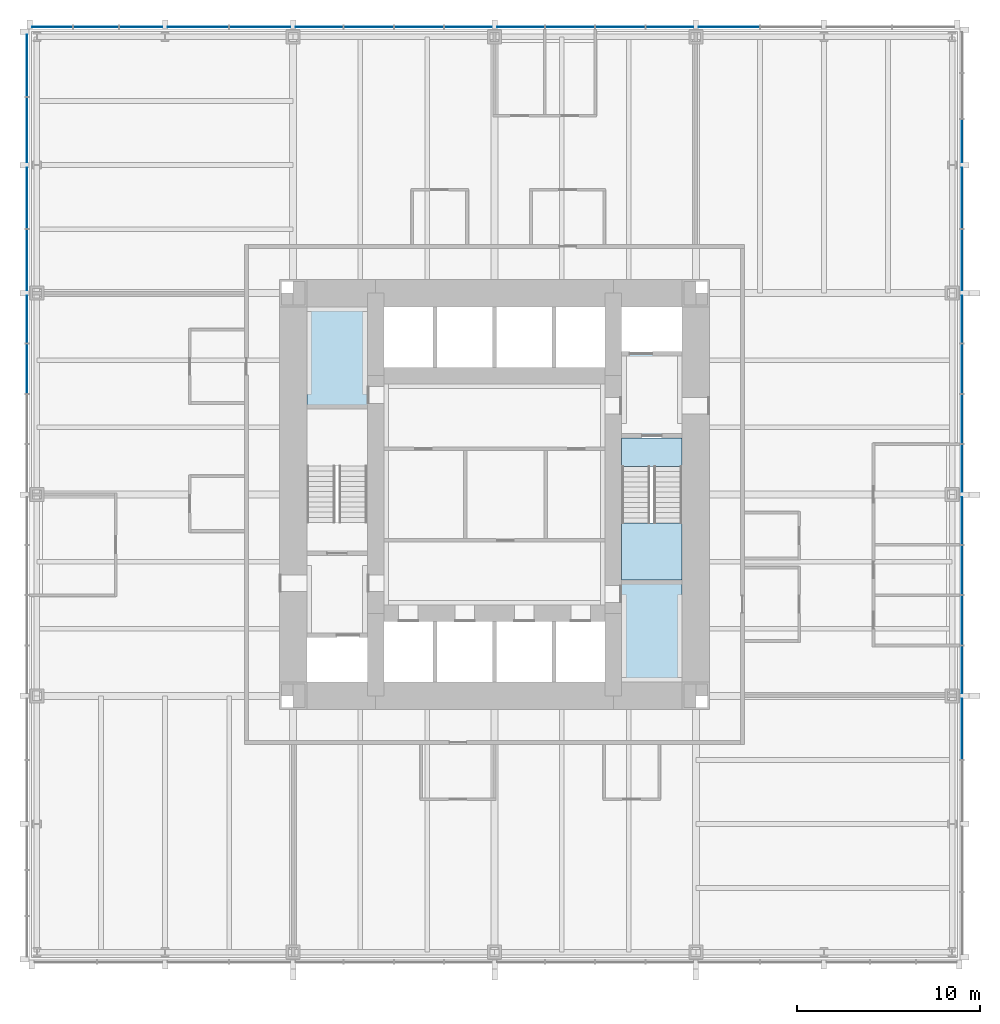
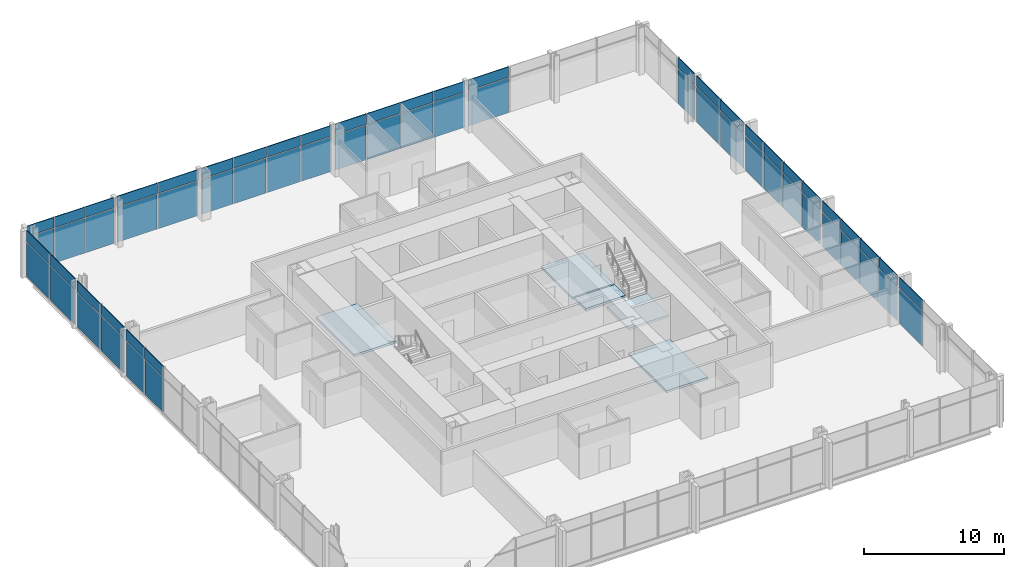
# One storey, part 8 of 12: 64 plates, 5 slabs, 4 elements without a shape of their own.
"""IFC4 building model written with IfcOpenShell, lengths in metres."""

from ifc_helpers import new_model, si_unit, direction, frame, origin, origin_2d, place, context, subcontext, project, spatial, polyline, rectangle, outline, extrude, material, layer, layer_set, type_object, element, aggregate, save


model = new_model("IFC4")

# Units and contexts
model_context = context("Model", 3, precision=1e-05, world=origin(), true_north=direction((0.0, 1.0)))
body_context = subcontext(model_context, "Body", "Model", "MODEL_VIEW")
ifc_project = project(units=[si_unit("LENGTHUNIT", "METRE"), si_unit("AREAUNIT", "SQUARE_METRE"), si_unit("VOLUMEUNIT", "CUBIC_METRE"), si_unit("PLANEANGLEUNIT", "RADIAN"), si_unit("MASSUNIT", "GRAM", prefix="KILO")], contexts=[model_context])

# Site, building, storey
site_placement = place(None, origin())
site = spatial("IfcSite", under=ifc_project, at=site_placement, CompositionType="ELEMENT")
building_placement = place(site_placement, origin())
building = spatial("IfcBuilding", under=site, at=building_placement, Name="Trevanion Tower", CompositionType="ELEMENT")
storey_placement = place(building_placement, frame((0.0, 0.0, 24.199951171875)))
storey = spatial("IfcBuildingStorey", under=building, at=storey_placement, Name="L05", CompositionType="ELEMENT", Elevation=24.199951171875)

# Curtain wall, plates
ifc_material_1 = material(Name="Aluminium and glass", Category="aluminium")
curtain_wall_type = type_object("IfcCurtainWallType", Name="CW1 curtain wall", PredefinedType="USERDEFINED", material=ifc_material_1)
curtain_wall_1_placement = place(storey_placement, origin())
curtain_wall_1 = element("IfcCurtainWall", 1, at=curtain_wall_1_placement, inside=storey, type_object=curtain_wall_type, Name="CW1 L05 0", ObjectType="UNITISED CURTAIN WALL", PredefinedType="USERDEFINED")
ifc_material_2 = material(Name="Aluminium spandrel panel", Category="aluminium")
ifc_layer_1 = layer(ifc_material_2, 0.06005859375)
ifc_layer_set_1 = layer_set([ifc_layer_1], Name="CW1 spandrel panel")
plate_type_1 = type_object("IfcPlateType", Name="CW1 spandrel panel", PredefinedType="CURTAIN_PANEL", material=ifc_layer_set_1)
plate_1_placement = place(storey_placement, frame((25.550048828125, -12.806396484375, 2.99755859375), z_axis=(0.0, 0.0, 1.0), x_axis=(0.0, 1.0, 0.0)))
plate_1 = element("IfcPlate", 2, at=plate_1_placement, type_object=plate_type_1, Name="CW1 panel 4.2", PredefinedType="CURTAIN_PANEL", context=body_context, shape_type="SweptSolid", body=[
    extrude(rectangle(XDim=3.3125, YDim=0.06005859375, at=origin_2d()), origin(), (0.0, 0.0, 1.0), 0.91259765625),
])
plate_2_placement = place(storey_placement, frame((25.550048828125, -9.56884765625, 2.99755859375), z_axis=(0.0, 0.0, 1.0), x_axis=(0.0, 1.0, 0.0)))
plate_2 = element("IfcPlate", 3, at=plate_2_placement, type_object=plate_type_1, Name="CW1 panel 5.2", PredefinedType="CURTAIN_PANEL", context=body_context, shape_type="SweptSolid", body=[
    extrude(rectangle(XDim=2.5625, YDim=0.06005859375, at=origin_2d()), origin(), (0.0, 0.0, 1.0), 0.91259765625),
])
plate_3_placement = place(storey_placement, frame((25.550048828125, -6.875, 2.99755859375), z_axis=(0.0, 0.0, 1.0), x_axis=(0.0, 1.0, 0.0)))
plate_3 = element("IfcPlate", 4, at=plate_3_placement, type_object=plate_type_1, Name="CW1 panel 6.2", PredefinedType="CURTAIN_PANEL", context=body_context, shape_type="SweptSolid", body=[
    extrude(rectangle(XDim=2.675048828125, YDim=0.06005859375, at=origin_2d()), origin(), (0.0, 0.0, 1.0), 0.91259765625),
])
plate_4_placement = place(storey_placement, frame((25.550048828125, -4.125, 2.99755859375), z_axis=(0.0, 0.0, 1.0), x_axis=(0.0, 1.0, 0.0)))
plate_4 = element("IfcPlate", 5, at=plate_4_placement, type_object=plate_type_1, Name="CW1 panel 7.2", PredefinedType="CURTAIN_PANEL", context=body_context, shape_type="SweptSolid", body=[
    extrude(rectangle(XDim=2.675048828125, YDim=0.06005859375, at=origin_2d()), origin(), (0.0, 0.0, 1.0), 0.91259765625),
])
plate_5_placement = place(storey_placement, frame((25.550048828125, -1.43115234375, 2.99755859375), z_axis=(0.0, 0.0, 1.0), x_axis=(0.0, 1.0, 0.0)))
plate_5 = element("IfcPlate", 6, at=plate_5_placement, type_object=plate_type_1, Name="CW1 panel 8.2", PredefinedType="CURTAIN_PANEL", context=body_context, shape_type="SweptSolid", body=[
    extrude(rectangle(XDim=2.5625, YDim=0.06005859375, at=origin_2d()), origin(), (0.0, 0.0, 1.0), 0.91259765625),
])
plate_6_placement = place(storey_placement, frame((25.550048828125, 1.43115234375, 2.99755859375), z_axis=(0.0, 0.0, 1.0), x_axis=(0.0, 1.0, 0.0)))
plate_6 = element("IfcPlate", 7, at=plate_6_placement, type_object=plate_type_1, Name="CW1 panel 9.2", PredefinedType="CURTAIN_PANEL", context=body_context, shape_type="SweptSolid", body=[
    extrude(rectangle(XDim=2.5625, YDim=0.06005859375, at=origin_2d()), origin(), (0.0, 0.0, 1.0), 0.91259765625),
])
plate_7_placement = place(storey_placement, frame((25.550048828125, 4.125, 2.99755859375), z_axis=(0.0, 0.0, 1.0), x_axis=(0.0, 1.0, 0.0)))
plate_7 = element("IfcPlate", 8, at=plate_7_placement, type_object=plate_type_1, Name="CW1 panel 10.2", PredefinedType="CURTAIN_PANEL", context=body_context, shape_type="SweptSolid", body=[
    extrude(rectangle(XDim=2.675048828125, YDim=0.06005859375, at=origin_2d()), origin(), (0.0, 0.0, 1.0), 0.91259765625),
])
plate_8_placement = place(storey_placement, frame((25.550048828125, 6.875, 2.99755859375), z_axis=(0.0, 0.0, 1.0), x_axis=(0.0, 1.0, 0.0)))
plate_8 = element("IfcPlate", 9, at=plate_8_placement, type_object=plate_type_1, Name="CW1 panel 11.2", PredefinedType="CURTAIN_PANEL", context=body_context, shape_type="SweptSolid", body=[
    extrude(rectangle(XDim=2.675048828125, YDim=0.06005859375, at=origin_2d()), origin(), (0.0, 0.0, 1.0), 0.91259765625),
])
plate_9_placement = place(storey_placement, frame((25.550048828125, 9.56884765625, 2.99755859375), z_axis=(0.0, 0.0, 1.0), x_axis=(0.0, 1.0, 0.0)))
plate_9 = element("IfcPlate", 10, at=plate_9_placement, type_object=plate_type_1, Name="CW1 panel 12.2", PredefinedType="CURTAIN_PANEL", context=body_context, shape_type="SweptSolid", body=[
    extrude(rectangle(XDim=2.5625, YDim=0.06005859375, at=origin_2d()), origin(), (0.0, 0.0, 1.0), 0.91259765625),
])
plate_10_placement = place(storey_placement, frame((25.550048828125, 12.80615234375, 2.99755859375), z_axis=(0.0, 0.0, 1.0), x_axis=(0.0, 1.0, 0.0)))
plate_10 = element("IfcPlate", 11, at=plate_10_placement, type_object=plate_type_1, Name="CW1 panel 13.2", PredefinedType="CURTAIN_PANEL", context=body_context, shape_type="SweptSolid", body=[
    extrude(rectangle(XDim=3.3125, YDim=0.06005859375, at=origin_2d()), origin(), (0.0, 0.0, 1.0), 0.91259765625),
])
plate_11_placement = place(storey_placement, frame((25.550048828125, 16.19384765625, 2.99755859375), z_axis=(0.0, 0.0, 1.0), x_axis=(0.0, 1.0, 0.0)))
plate_11 = element("IfcPlate", 12, at=plate_11_placement, type_object=plate_type_1, Name="CW1 panel 14.2", PredefinedType="CURTAIN_PANEL", context=body_context, shape_type="SweptSolid", body=[
    extrude(rectangle(XDim=3.3125, YDim=0.06005859375, at=origin_2d()), origin(), (0.0, 0.0, 1.0), 0.91259765625),
])
plate_12_placement = place(storey_placement, frame((25.550048828125, 19.314697265625, 2.99755859375), z_axis=(0.0, 0.0, 1.0), x_axis=(0.0, 1.0, 0.0)))
plate_12 = element("IfcPlate", 13, at=plate_12_placement, type_object=plate_type_1, Name="CW1 panel 15.2", PredefinedType="CURTAIN_PANEL", context=body_context, shape_type="SweptSolid", body=[
    extrude(rectangle(XDim=2.3291015625, YDim=0.06005859375, at=origin_2d()), origin(), (0.0, 0.0, 1.0), 0.91259765625),
])

curtain_wall_2_placement = place(storey_placement, origin())
curtain_wall_2 = element("IfcCurtainWall", 14, at=curtain_wall_2_placement, inside=storey, type_object=curtain_wall_type, Name="CW1 L05 1", ObjectType="UNITISED CURTAIN WALL", PredefinedType="USERDEFINED")
plate_13_placement = place(storey_placement, frame((12.806396484375, 25.550048828125, 2.99755859375), z_axis=(0.0, 0.0, 1.0), x_axis=(-1.0, 0.0, 0.0)))
plate_13 = element("IfcPlate", 15, at=plate_13_placement, type_object=plate_type_1, Name="CW1 panel 4.2", PredefinedType="CURTAIN_PANEL", context=body_context, shape_type="SweptSolid", body=[
    extrude(rectangle(XDim=3.3125, YDim=0.06005859375, at=origin_2d()), origin(), (0.0, 0.0, 1.0), 0.91259765625),
])
plate_14_placement = place(storey_placement, frame((9.56884765625, 25.550048828125, 2.99755859375), z_axis=(0.0, 0.0, 1.0), x_axis=(-1.0, 0.0, 0.0)))
plate_14 = element("IfcPlate", 16, at=plate_14_placement, type_object=plate_type_1, Name="CW1 panel 5.2", PredefinedType="CURTAIN_PANEL", context=body_context, shape_type="SweptSolid", body=[
    extrude(rectangle(XDim=2.5625, YDim=0.06005859375, at=origin_2d()), origin(), (0.0, 0.0, 1.0), 0.91259765625),
])
plate_15_placement = place(storey_placement, frame((6.875, 25.550048828125, 2.99755859375), z_axis=(0.0, 0.0, 1.0), x_axis=(-1.0, 0.0, 0.0)))
plate_15 = element("IfcPlate", 17, at=plate_15_placement, type_object=plate_type_1, Name="CW1 panel 6.2", PredefinedType="CURTAIN_PANEL", context=body_context, shape_type="SweptSolid", body=[
    extrude(rectangle(XDim=2.675048828125, YDim=0.06005859375, at=origin_2d()), origin(), (0.0, 0.0, 1.0), 0.91259765625),
])
plate_16_placement = place(storey_placement, frame((4.125, 25.550048828125, 2.99755859375), z_axis=(0.0, 0.0, 1.0), x_axis=(-1.0, 0.0, 0.0)))
plate_16 = element("IfcPlate", 18, at=plate_16_placement, type_object=plate_type_1, Name="CW1 panel 7.2", PredefinedType="CURTAIN_PANEL", context=body_context, shape_type="SweptSolid", body=[
    extrude(rectangle(XDim=2.675048828125, YDim=0.06005859375, at=origin_2d()), origin(), (0.0, 0.0, 1.0), 0.91259765625),
])
plate_17_placement = place(storey_placement, frame((1.43115234375, 25.550048828125, 2.99755859375), z_axis=(0.0, 0.0, 1.0), x_axis=(-1.0, 0.0, 0.0)))
plate_17 = element("IfcPlate", 19, at=plate_17_placement, type_object=plate_type_1, Name="CW1 panel 8.2", PredefinedType="CURTAIN_PANEL", context=body_context, shape_type="SweptSolid", body=[
    extrude(rectangle(XDim=2.5625, YDim=0.06005859375, at=origin_2d()), origin(), (0.0, 0.0, 1.0), 0.91259765625),
])
plate_18_placement = place(storey_placement, frame((-1.43115234375, 25.550048828125, 2.99755859375), z_axis=(0.0, 0.0, 1.0), x_axis=(-1.0, 0.0, 0.0)))
plate_18 = element("IfcPlate", 20, at=plate_18_placement, type_object=plate_type_1, Name="CW1 panel 9.2", PredefinedType="CURTAIN_PANEL", context=body_context, shape_type="SweptSolid", body=[
    extrude(rectangle(XDim=2.5625, YDim=0.06005859375, at=origin_2d()), origin(), (0.0, 0.0, 1.0), 0.91259765625),
])
plate_19_placement = place(storey_placement, frame((-4.125, 25.550048828125, 2.99755859375), z_axis=(0.0, 0.0, 1.0), x_axis=(-1.0, 0.0, 0.0)))
plate_19 = element("IfcPlate", 21, at=plate_19_placement, type_object=plate_type_1, Name="CW1 panel 10.2", PredefinedType="CURTAIN_PANEL", context=body_context, shape_type="SweptSolid", body=[
    extrude(rectangle(XDim=2.675048828125, YDim=0.06005859375, at=origin_2d()), origin(), (0.0, 0.0, 1.0), 0.91259765625),
])
plate_20_placement = place(storey_placement, frame((-6.875, 25.550048828125, 2.99755859375), z_axis=(0.0, 0.0, 1.0), x_axis=(-1.0, 0.0, 0.0)))
plate_20 = element("IfcPlate", 22, at=plate_20_placement, type_object=plate_type_1, Name="CW1 panel 11.2", PredefinedType="CURTAIN_PANEL", context=body_context, shape_type="SweptSolid", body=[
    extrude(rectangle(XDim=2.675048828125, YDim=0.06005859375, at=origin_2d()), origin(), (0.0, 0.0, 1.0), 0.91259765625),
])
plate_21_placement = place(storey_placement, frame((-9.56884765625, 25.550048828125, 2.99755859375), z_axis=(0.0, 0.0, 1.0), x_axis=(-1.0, 0.0, 0.0)))
plate_21 = element("IfcPlate", 23, at=plate_21_placement, type_object=plate_type_1, Name="CW1 panel 12.2", PredefinedType="CURTAIN_PANEL", context=body_context, shape_type="SweptSolid", body=[
    extrude(rectangle(XDim=2.5625, YDim=0.06005859375, at=origin_2d()), origin(), (0.0, 0.0, 1.0), 0.91259765625),
])
plate_22_placement = place(storey_placement, frame((-12.80615234375, 25.550048828125, 2.99755859375), z_axis=(0.0, 0.0, 1.0), x_axis=(-1.0, 0.0, 0.0)))
plate_22 = element("IfcPlate", 24, at=plate_22_placement, type_object=plate_type_1, Name="CW1 panel 13.2", PredefinedType="CURTAIN_PANEL", context=body_context, shape_type="SweptSolid", body=[
    extrude(rectangle(XDim=3.3125, YDim=0.06005859375, at=origin_2d()), origin(), (0.0, 0.0, 1.0), 0.91259765625),
])
plate_23_placement = place(storey_placement, frame((-16.19384765625, 25.550048828125, 2.99755859375), z_axis=(0.0, 0.0, 1.0), x_axis=(-1.0, 0.0, 0.0)))
plate_23 = element("IfcPlate", 25, at=plate_23_placement, type_object=plate_type_1, Name="CW1 panel 14.2", PredefinedType="CURTAIN_PANEL", context=body_context, shape_type="SweptSolid", body=[
    extrude(rectangle(XDim=3.3125, YDim=0.06005859375, at=origin_2d()), origin(), (0.0, 0.0, 1.0), 0.91259765625),
])
plate_24_placement = place(storey_placement, frame((-19.314697265625, 25.550048828125, 2.99755859375), z_axis=(0.0, 0.0, 1.0), x_axis=(-1.0, 0.0, 0.0)))
plate_24 = element("IfcPlate", 26, at=plate_24_placement, type_object=plate_type_1, Name="CW1 panel 15.2", PredefinedType="CURTAIN_PANEL", context=body_context, shape_type="SweptSolid", body=[
    extrude(rectangle(XDim=2.3291015625, YDim=0.06005859375, at=origin_2d()), origin(), (0.0, 0.0, 1.0), 0.91259765625),
])
plate_25_placement = place(storey_placement, frame((-21.77490234375, 25.550048828125, 2.99755859375), z_axis=(0.0, 0.0, 1.0), x_axis=(-1.0, 0.0, 0.0)))
plate_25 = element("IfcPlate", 27, at=plate_25_placement, type_object=plate_type_1, Name="CW1 panel 16.2", PredefinedType="CURTAIN_PANEL", context=body_context, shape_type="SweptSolid", body=[
    extrude(rectangle(XDim=2.441650390625, YDim=0.06005859375, at=origin_2d()), origin(), (0.0, 0.0, 1.0), 0.91259765625),
])
plate_26_placement = place(storey_placement, frame((-24.160400390625, 25.550048828125, 2.99755859375), z_axis=(0.0, 0.0, 1.0), x_axis=(-1.0, 0.0, 0.0)))
plate_26 = element("IfcPlate", 28, at=plate_26_placement, type_object=plate_type_1, Name="CW1 panel 17.2", PredefinedType="CURTAIN_PANEL", context=body_context, shape_type="SweptSolid", body=[
    extrude(rectangle(XDim=2.17919921875, YDim=0.06005859375, at=origin_2d()), origin(), (0.0, 0.0, 1.0), 0.91259765625),
])

curtain_wall_3_placement = place(storey_placement, origin())
curtain_wall_3 = element("IfcCurtainWall", 29, at=curtain_wall_3_placement, inside=storey, type_object=curtain_wall_type, Name="CW1 L05 2", ObjectType="UNITISED CURTAIN WALL", PredefinedType="USERDEFINED")
plate_27_placement = place(storey_placement, frame((-25.550048828125, 23.433837890625, 2.99755859375), z_axis=(0.0, 0.0, 1.0), x_axis=(0.0, -1.0, 0.0)))
plate_27 = element("IfcPlate", 30, at=plate_27_placement, type_object=plate_type_1, Name="CW1 panel 1.2", PredefinedType="CURTAIN_PANEL", context=body_context, shape_type="SweptSolid", body=[
    extrude(rectangle(XDim=3.37255859375, YDim=0.06005859375, at=origin_2d()), origin(), (0.0, 0.0, 1.0), 0.91259765625),
])
plate_28_placement = place(storey_placement, frame((-25.550048828125, 19.911376953125, 2.99755859375), z_axis=(0.0, 0.0, 1.0), x_axis=(0.0, -1.0, 0.0)))
plate_28 = element("IfcPlate", 31, at=plate_28_placement, type_object=plate_type_1, Name="CW1 panel 2.2", PredefinedType="CURTAIN_PANEL", context=body_context, shape_type="SweptSolid", body=[
    extrude(rectangle(XDim=3.5224609375, YDim=0.06005859375, at=origin_2d()), origin(), (0.0, 0.0, 1.0), 0.91259765625),
])
plate_29_placement = place(storey_placement, frame((-25.550048828125, 16.19384765625, 2.99755859375), z_axis=(0.0, 0.0, 1.0), x_axis=(0.0, -1.0, 0.0)))
plate_29 = element("IfcPlate", 32, at=plate_29_placement, type_object=plate_type_1, Name="CW1 panel 3.2", PredefinedType="CURTAIN_PANEL", context=body_context, shape_type="SweptSolid", body=[
    extrude(rectangle(XDim=3.3125, YDim=0.06005859375, at=origin_2d()), origin(), (0.0, 0.0, 1.0), 0.91259765625),
])
plate_30_placement = place(storey_placement, frame((-25.550048828125, 12.806396484375, 2.99755859375), z_axis=(0.0, 0.0, 1.0), x_axis=(0.0, -1.0, 0.0)))
plate_30 = element("IfcPlate", 33, at=plate_30_placement, type_object=plate_type_1, Name="CW1 panel 4.2", PredefinedType="CURTAIN_PANEL", context=body_context, shape_type="SweptSolid", body=[
    extrude(rectangle(XDim=3.3125, YDim=0.06005859375, at=origin_2d()), origin(), (0.0, 0.0, 1.0), 0.91259765625),
])
plate_31_placement = place(storey_placement, frame((-25.550048828125, 9.56884765625, 2.99755859375), z_axis=(0.0, 0.0, 1.0), x_axis=(0.0, -1.0, 0.0)))
plate_31 = element("IfcPlate", 34, at=plate_31_placement, type_object=plate_type_1, Name="CW1 panel 5.2", PredefinedType="CURTAIN_PANEL", context=body_context, shape_type="SweptSolid", body=[
    extrude(rectangle(XDim=2.5625, YDim=0.06005859375, at=origin_2d()), origin(), (0.0, 0.0, 1.0), 0.91259765625),
])
plate_32_placement = place(storey_placement, frame((-25.550048828125, 6.875, 2.99755859375), z_axis=(0.0, 0.0, 1.0), x_axis=(0.0, -1.0, 0.0)))
plate_32 = element("IfcPlate", 35, at=plate_32_placement, type_object=plate_type_1, Name="CW1 panel 6.2", PredefinedType="CURTAIN_PANEL", context=body_context, shape_type="SweptSolid", body=[
    extrude(rectangle(XDim=2.675048828125, YDim=0.06005859375, at=origin_2d()), origin(), (0.0, 0.0, 1.0), 0.91259765625),
])

# Plate
ifc_material_3 = material(Name="Insulating glass unit", Category="glass")
ifc_layer_2 = layer(ifc_material_3, 0.028076171875)
ifc_layer_set_2 = layer_set([ifc_layer_2], Name="CW1 vision panel")
plate_type_2 = type_object("IfcPlateType", Name="CW1 vision panel", PredefinedType="CURTAIN_PANEL", material=ifc_layer_set_2)
plate_33_placement = place(storey_placement, frame((25.550048828125, -12.806396484375, -0.114990234375), z_axis=(0.0, 0.0, 1.0), x_axis=(0.0, 1.0, 0.0)))
plate_33 = element("IfcPlate", 36, at=plate_33_placement, type_object=plate_type_2, Name="CW1 panel 4.1", PredefinedType="CURTAIN_PANEL", context=body_context, shape_type="SweptSolid", body=[
    extrude(rectangle(XDim=3.3125, YDim=0.028076171875, at=origin_2d()), origin(), (0.0, 0.0, 1.0), 3.03759765625),
])

plate_34_placement = place(storey_placement, frame((25.550048828125, -9.56884765625, -0.114990234375), z_axis=(0.0, 0.0, 1.0), x_axis=(0.0, 1.0, 0.0)))
plate_34 = element("IfcPlate", 37, at=plate_34_placement, type_object=plate_type_2, Name="CW1 panel 5.1", PredefinedType="CURTAIN_PANEL", context=body_context, shape_type="SweptSolid", body=[
    extrude(rectangle(XDim=2.5625, YDim=0.028076171875, at=origin_2d()), origin(), (0.0, 0.0, 1.0), 3.03759765625),
])

plate_35_placement = place(storey_placement, frame((25.550048828125, -6.875, -0.114990234375), z_axis=(0.0, 0.0, 1.0), x_axis=(0.0, 1.0, 0.0)))
plate_35 = element("IfcPlate", 38, at=plate_35_placement, type_object=plate_type_2, Name="CW1 panel 6.1", PredefinedType="CURTAIN_PANEL", context=body_context, shape_type="SweptSolid", body=[
    extrude(rectangle(XDim=2.675048828125, YDim=0.028076171875, at=origin_2d()), origin(), (0.0, 0.0, 1.0), 3.03759765625),
])

plate_36_placement = place(storey_placement, frame((25.550048828125, -4.125, -0.114990234375), z_axis=(0.0, 0.0, 1.0), x_axis=(0.0, 1.0, 0.0)))
plate_36 = element("IfcPlate", 39, at=plate_36_placement, type_object=plate_type_2, Name="CW1 panel 7.1", PredefinedType="CURTAIN_PANEL", context=body_context, shape_type="SweptSolid", body=[
    extrude(rectangle(XDim=2.675048828125, YDim=0.028076171875, at=origin_2d()), origin(), (0.0, 0.0, 1.0), 3.03759765625),
])

plate_37_placement = place(storey_placement, frame((25.550048828125, -1.43115234375, -0.114990234375), z_axis=(0.0, 0.0, 1.0), x_axis=(0.0, 1.0, 0.0)))
plate_37 = element("IfcPlate", 40, at=plate_37_placement, type_object=plate_type_2, Name="CW1 panel 8.1", PredefinedType="CURTAIN_PANEL", context=body_context, shape_type="SweptSolid", body=[
    extrude(rectangle(XDim=2.5625, YDim=0.028076171875, at=origin_2d()), origin(), (0.0, 0.0, 1.0), 3.03759765625),
])

plate_38_placement = place(storey_placement, frame((25.550048828125, 1.43115234375, -0.114990234375), z_axis=(0.0, 0.0, 1.0), x_axis=(0.0, 1.0, 0.0)))
plate_38 = element("IfcPlate", 41, at=plate_38_placement, type_object=plate_type_2, Name="CW1 panel 9.1", PredefinedType="CURTAIN_PANEL", context=body_context, shape_type="SweptSolid", body=[
    extrude(rectangle(XDim=2.5625, YDim=0.028076171875, at=origin_2d()), origin(), (0.0, 0.0, 1.0), 3.03759765625),
])

plate_39_placement = place(storey_placement, frame((25.550048828125, 4.125, -0.114990234375), z_axis=(0.0, 0.0, 1.0), x_axis=(0.0, 1.0, 0.0)))
plate_39 = element("IfcPlate", 42, at=plate_39_placement, type_object=plate_type_2, Name="CW1 panel 10.1", PredefinedType="CURTAIN_PANEL", context=body_context, shape_type="SweptSolid", body=[
    extrude(rectangle(XDim=2.675048828125, YDim=0.028076171875, at=origin_2d()), origin(), (0.0, 0.0, 1.0), 3.03759765625),
])

plate_40_placement = place(storey_placement, frame((25.550048828125, 6.875, -0.114990234375), z_axis=(0.0, 0.0, 1.0), x_axis=(0.0, 1.0, 0.0)))
plate_40 = element("IfcPlate", 43, at=plate_40_placement, type_object=plate_type_2, Name="CW1 panel 11.1", PredefinedType="CURTAIN_PANEL", context=body_context, shape_type="SweptSolid", body=[
    extrude(rectangle(XDim=2.675048828125, YDim=0.028076171875, at=origin_2d()), origin(), (0.0, 0.0, 1.0), 3.03759765625),
])

plate_41_placement = place(storey_placement, frame((25.550048828125, 9.56884765625, -0.114990234375), z_axis=(0.0, 0.0, 1.0), x_axis=(0.0, 1.0, 0.0)))
plate_41 = element("IfcPlate", 44, at=plate_41_placement, type_object=plate_type_2, Name="CW1 panel 12.1", PredefinedType="CURTAIN_PANEL", context=body_context, shape_type="SweptSolid", body=[
    extrude(rectangle(XDim=2.5625, YDim=0.028076171875, at=origin_2d()), origin(), (0.0, 0.0, 1.0), 3.03759765625),
])

plate_42_placement = place(storey_placement, frame((25.550048828125, 12.80615234375, -0.114990234375), z_axis=(0.0, 0.0, 1.0), x_axis=(0.0, 1.0, 0.0)))
plate_42 = element("IfcPlate", 45, at=plate_42_placement, type_object=plate_type_2, Name="CW1 panel 13.1", PredefinedType="CURTAIN_PANEL", context=body_context, shape_type="SweptSolid", body=[
    extrude(rectangle(XDim=3.3125, YDim=0.028076171875, at=origin_2d()), origin(), (0.0, 0.0, 1.0), 3.03759765625),
])

plate_43_placement = place(storey_placement, frame((25.550048828125, 16.19384765625, -0.114990234375), z_axis=(0.0, 0.0, 1.0), x_axis=(0.0, 1.0, 0.0)))
plate_43 = element("IfcPlate", 46, at=plate_43_placement, type_object=plate_type_2, Name="CW1 panel 14.1", PredefinedType="CURTAIN_PANEL", context=body_context, shape_type="SweptSolid", body=[
    extrude(rectangle(XDim=3.3125, YDim=0.028076171875, at=origin_2d()), origin(), (0.0, 0.0, 1.0), 3.03759765625),
])

plate_44_placement = place(storey_placement, frame((25.550048828125, 19.314697265625, -0.114990234375), z_axis=(0.0, 0.0, 1.0), x_axis=(0.0, 1.0, 0.0)))
plate_44 = element("IfcPlate", 47, at=plate_44_placement, type_object=plate_type_2, Name="CW1 panel 15.1", PredefinedType="CURTAIN_PANEL", context=body_context, shape_type="SweptSolid", body=[
    extrude(rectangle(XDim=2.3291015625, YDim=0.028076171875, at=origin_2d()), origin(), (0.0, 0.0, 1.0), 3.03759765625),
])

aggregate(curtain_wall_1, [plate_33, plate_1, plate_34, plate_2, plate_35, plate_3, plate_36, plate_4, plate_37, plate_5, plate_38, plate_6, plate_39, plate_7, plate_40, plate_8, plate_41, plate_9, plate_42, plate_10, plate_43, plate_11, plate_44, plate_12])

plate_45_placement = place(storey_placement, frame((12.806396484375, 25.550048828125, -0.114990234375), z_axis=(0.0, 0.0, 1.0), x_axis=(-1.0, 0.0, 0.0)))
plate_45 = element("IfcPlate", 48, at=plate_45_placement, type_object=plate_type_2, Name="CW1 panel 4.1", PredefinedType="CURTAIN_PANEL", context=body_context, shape_type="SweptSolid", body=[
    extrude(rectangle(XDim=3.3125, YDim=0.028076171875, at=origin_2d()), origin(), (0.0, 0.0, 1.0), 3.03759765625),
])

plate_46_placement = place(storey_placement, frame((9.56884765625, 25.550048828125, -0.114990234375), z_axis=(0.0, 0.0, 1.0), x_axis=(-1.0, 0.0, 0.0)))
plate_46 = element("IfcPlate", 49, at=plate_46_placement, type_object=plate_type_2, Name="CW1 panel 5.1", PredefinedType="CURTAIN_PANEL", context=body_context, shape_type="SweptSolid", body=[
    extrude(rectangle(XDim=2.5625, YDim=0.028076171875, at=origin_2d()), origin(), (0.0, 0.0, 1.0), 3.03759765625),
])

plate_47_placement = place(storey_placement, frame((6.875, 25.550048828125, -0.114990234375), z_axis=(0.0, 0.0, 1.0), x_axis=(-1.0, 0.0, 0.0)))
plate_47 = element("IfcPlate", 50, at=plate_47_placement, type_object=plate_type_2, Name="CW1 panel 6.1", PredefinedType="CURTAIN_PANEL", context=body_context, shape_type="SweptSolid", body=[
    extrude(rectangle(XDim=2.675048828125, YDim=0.028076171875, at=origin_2d()), origin(), (0.0, 0.0, 1.0), 3.03759765625),
])

plate_48_placement = place(storey_placement, frame((4.125, 25.550048828125, -0.114990234375), z_axis=(0.0, 0.0, 1.0), x_axis=(-1.0, 0.0, 0.0)))
plate_48 = element("IfcPlate", 51, at=plate_48_placement, type_object=plate_type_2, Name="CW1 panel 7.1", PredefinedType="CURTAIN_PANEL", context=body_context, shape_type="SweptSolid", body=[
    extrude(rectangle(XDim=2.675048828125, YDim=0.028076171875, at=origin_2d()), origin(), (0.0, 0.0, 1.0), 3.03759765625),
])

plate_49_placement = place(storey_placement, frame((1.43115234375, 25.550048828125, -0.114990234375), z_axis=(0.0, 0.0, 1.0), x_axis=(-1.0, 0.0, 0.0)))
plate_49 = element("IfcPlate", 52, at=plate_49_placement, type_object=plate_type_2, Name="CW1 panel 8.1", PredefinedType="CURTAIN_PANEL", context=body_context, shape_type="SweptSolid", body=[
    extrude(rectangle(XDim=2.5625, YDim=0.028076171875, at=origin_2d()), origin(), (0.0, 0.0, 1.0), 3.03759765625),
])

plate_50_placement = place(storey_placement, frame((-1.43115234375, 25.550048828125, -0.114990234375), z_axis=(0.0, 0.0, 1.0), x_axis=(-1.0, 0.0, 0.0)))
plate_50 = element("IfcPlate", 53, at=plate_50_placement, type_object=plate_type_2, Name="CW1 panel 9.1", PredefinedType="CURTAIN_PANEL", context=body_context, shape_type="SweptSolid", body=[
    extrude(rectangle(XDim=2.5625, YDim=0.028076171875, at=origin_2d()), origin(), (0.0, 0.0, 1.0), 3.03759765625),
])

plate_51_placement = place(storey_placement, frame((-4.125, 25.550048828125, -0.114990234375), z_axis=(0.0, 0.0, 1.0), x_axis=(-1.0, 0.0, 0.0)))
plate_51 = element("IfcPlate", 54, at=plate_51_placement, type_object=plate_type_2, Name="CW1 panel 10.1", PredefinedType="CURTAIN_PANEL", context=body_context, shape_type="SweptSolid", body=[
    extrude(rectangle(XDim=2.675048828125, YDim=0.028076171875, at=origin_2d()), origin(), (0.0, 0.0, 1.0), 3.03759765625),
])

plate_52_placement = place(storey_placement, frame((-6.875, 25.550048828125, -0.114990234375), z_axis=(0.0, 0.0, 1.0), x_axis=(-1.0, 0.0, 0.0)))
plate_52 = element("IfcPlate", 55, at=plate_52_placement, type_object=plate_type_2, Name="CW1 panel 11.1", PredefinedType="CURTAIN_PANEL", context=body_context, shape_type="SweptSolid", body=[
    extrude(rectangle(XDim=2.675048828125, YDim=0.028076171875, at=origin_2d()), origin(), (0.0, 0.0, 1.0), 3.03759765625),
])

plate_53_placement = place(storey_placement, frame((-9.56884765625, 25.550048828125, -0.114990234375), z_axis=(0.0, 0.0, 1.0), x_axis=(-1.0, 0.0, 0.0)))
plate_53 = element("IfcPlate", 56, at=plate_53_placement, type_object=plate_type_2, Name="CW1 panel 12.1", PredefinedType="CURTAIN_PANEL", context=body_context, shape_type="SweptSolid", body=[
    extrude(rectangle(XDim=2.5625, YDim=0.028076171875, at=origin_2d()), origin(), (0.0, 0.0, 1.0), 3.03759765625),
])

plate_54_placement = place(storey_placement, frame((-12.80615234375, 25.550048828125, -0.114990234375), z_axis=(0.0, 0.0, 1.0), x_axis=(-1.0, 0.0, 0.0)))
plate_54 = element("IfcPlate", 57, at=plate_54_placement, type_object=plate_type_2, Name="CW1 panel 13.1", PredefinedType="CURTAIN_PANEL", context=body_context, shape_type="SweptSolid", body=[
    extrude(rectangle(XDim=3.3125, YDim=0.028076171875, at=origin_2d()), origin(), (0.0, 0.0, 1.0), 3.03759765625),
])

plate_55_placement = place(storey_placement, frame((-16.19384765625, 25.550048828125, -0.114990234375), z_axis=(0.0, 0.0, 1.0), x_axis=(-1.0, 0.0, 0.0)))
plate_55 = element("IfcPlate", 58, at=plate_55_placement, type_object=plate_type_2, Name="CW1 panel 14.1", PredefinedType="CURTAIN_PANEL", context=body_context, shape_type="SweptSolid", body=[
    extrude(rectangle(XDim=3.3125, YDim=0.028076171875, at=origin_2d()), origin(), (0.0, 0.0, 1.0), 3.03759765625),
])

plate_56_placement = place(storey_placement, frame((-19.314697265625, 25.550048828125, -0.114990234375), z_axis=(0.0, 0.0, 1.0), x_axis=(-1.0, 0.0, 0.0)))
plate_56 = element("IfcPlate", 59, at=plate_56_placement, type_object=plate_type_2, Name="CW1 panel 15.1", PredefinedType="CURTAIN_PANEL", context=body_context, shape_type="SweptSolid", body=[
    extrude(rectangle(XDim=2.3291015625, YDim=0.028076171875, at=origin_2d()), origin(), (0.0, 0.0, 1.0), 3.03759765625),
])

plate_57_placement = place(storey_placement, frame((-21.77490234375, 25.550048828125, -0.114990234375), z_axis=(0.0, 0.0, 1.0), x_axis=(-1.0, 0.0, 0.0)))
plate_57 = element("IfcPlate", 60, at=plate_57_placement, type_object=plate_type_2, Name="CW1 panel 16.1", PredefinedType="CURTAIN_PANEL", context=body_context, shape_type="SweptSolid", body=[
    extrude(rectangle(XDim=2.441650390625, YDim=0.028076171875, at=origin_2d()), origin(), (0.0, 0.0, 1.0), 3.03759765625),
])

plate_58_placement = place(storey_placement, frame((-24.160400390625, 25.550048828125, -0.114990234375), z_axis=(0.0, 0.0, 1.0), x_axis=(-1.0, 0.0, 0.0)))
plate_58 = element("IfcPlate", 61, at=plate_58_placement, type_object=plate_type_2, Name="CW1 panel 17.1", PredefinedType="CURTAIN_PANEL", context=body_context, shape_type="SweptSolid", body=[
    extrude(rectangle(XDim=2.17919921875, YDim=0.028076171875, at=origin_2d()), origin(), (0.0, 0.0, 1.0), 3.03759765625),
])

aggregate(curtain_wall_2, [plate_45, plate_13, plate_46, plate_14, plate_47, plate_15, plate_48, plate_16, plate_49, plate_17, plate_50, plate_18, plate_51, plate_19, plate_52, plate_20, plate_53, plate_21, plate_54, plate_22, plate_55, plate_23, plate_56, plate_24, plate_57, plate_25, plate_58, plate_26])

plate_59_placement = place(storey_placement, frame((-25.550048828125, 23.433837890625, -0.114990234375), z_axis=(0.0, 0.0, 1.0), x_axis=(0.0, -1.0, 0.0)))
plate_59 = element("IfcPlate", 62, at=plate_59_placement, type_object=plate_type_2, Name="CW1 panel 1.1", PredefinedType="CURTAIN_PANEL", context=body_context, shape_type="SweptSolid", body=[
    extrude(rectangle(XDim=3.37255859375, YDim=0.028076171875, at=origin_2d()), origin(), (0.0, 0.0, 1.0), 3.03759765625),
])

plate_60_placement = place(storey_placement, frame((-25.550048828125, 19.911376953125, -0.114990234375), z_axis=(0.0, 0.0, 1.0), x_axis=(0.0, -1.0, 0.0)))
plate_60 = element("IfcPlate", 63, at=plate_60_placement, type_object=plate_type_2, Name="CW1 panel 2.1", PredefinedType="CURTAIN_PANEL", context=body_context, shape_type="SweptSolid", body=[
    extrude(rectangle(XDim=3.5224609375, YDim=0.028076171875, at=origin_2d()), origin(), (0.0, 0.0, 1.0), 3.03759765625),
])

plate_61_placement = place(storey_placement, frame((-25.550048828125, 16.19384765625, -0.114990234375), z_axis=(0.0, 0.0, 1.0), x_axis=(0.0, -1.0, 0.0)))
plate_61 = element("IfcPlate", 64, at=plate_61_placement, type_object=plate_type_2, Name="CW1 panel 3.1", PredefinedType="CURTAIN_PANEL", context=body_context, shape_type="SweptSolid", body=[
    extrude(rectangle(XDim=3.3125, YDim=0.028076171875, at=origin_2d()), origin(), (0.0, 0.0, 1.0), 3.03759765625),
])

plate_62_placement = place(storey_placement, frame((-25.550048828125, 12.806396484375, -0.114990234375), z_axis=(0.0, 0.0, 1.0), x_axis=(0.0, -1.0, 0.0)))
plate_62 = element("IfcPlate", 65, at=plate_62_placement, type_object=plate_type_2, Name="CW1 panel 4.1", PredefinedType="CURTAIN_PANEL", context=body_context, shape_type="SweptSolid", body=[
    extrude(rectangle(XDim=3.3125, YDim=0.028076171875, at=origin_2d()), origin(), (0.0, 0.0, 1.0), 3.03759765625),
])

plate_63_placement = place(storey_placement, frame((-25.550048828125, 9.56884765625, -0.114990234375), z_axis=(0.0, 0.0, 1.0), x_axis=(0.0, -1.0, 0.0)))
plate_63 = element("IfcPlate", 66, at=plate_63_placement, type_object=plate_type_2, Name="CW1 panel 5.1", PredefinedType="CURTAIN_PANEL", context=body_context, shape_type="SweptSolid", body=[
    extrude(rectangle(XDim=2.5625, YDim=0.028076171875, at=origin_2d()), origin(), (0.0, 0.0, 1.0), 3.03759765625),
])

plate_64_placement = place(storey_placement, frame((-25.550048828125, 6.875, -0.114990234375), z_axis=(0.0, 0.0, 1.0), x_axis=(0.0, -1.0, 0.0)))
plate_64 = element("IfcPlate", 67, at=plate_64_placement, type_object=plate_type_2, Name="CW1 panel 6.1", PredefinedType="CURTAIN_PANEL", context=body_context, shape_type="SweptSolid", body=[
    extrude(rectangle(XDim=2.675048828125, YDim=0.028076171875, at=origin_2d()), origin(), (0.0, 0.0, 1.0), 3.03759765625),
])

aggregate(curtain_wall_3, [plate_59, plate_27, plate_60, plate_28, plate_61, plate_29, plate_62, plate_30, plate_63, plate_31, plate_64, plate_32])

# Slabs
ifc_material_4 = material(Name="Concrete 5,000 psi", Category="concrete")
ifc_layer_3 = layer(ifc_material_4, 0.199951171875)
ifc_layer_set_3 = layer_set([ifc_layer_3], Name="SL2 core floor 200")
slab_type_1 = type_object("IfcSlabType", Name="SL2 core floor 200", PredefinedType="FLOOR", material=ifc_layer_set_3)
slab_1_placement = place(storey_placement, frame((0.0, 0.0, -0.199951171875)))
element("IfcSlab", 68, at=slab_1_placement, inside=storey, type_object=slab_type_1, Name="SL2 L05 core floor 1", PredefinedType="FLOOR", context=body_context, shape_type="SweptSolid", body=[
    extrude(outline(polyline([(10.25, -4.804931640625), (10.25, -10.25), (6.830078125, -10.25), (6.830078125, -4.804931640625), (10.25, -4.804931640625)])), origin(), (0.0, 0.0, 1.0), 0.199951171875),
])
slab_2_placement = place(storey_placement, frame((0.0, 0.0, -0.199951171875)))
element("IfcSlab", 69, at=slab_2_placement, inside=storey, type_object=slab_type_1, Name="SL2 L05 core floor 4", PredefinedType="FLOOR", context=body_context, shape_type="SweptSolid", body=[
    extrude(outline(polyline([(6.830078125, 3.205078125), (6.830078125, 7.695068359375), (10.25, 7.695068359375), (10.25, 3.205078125), (6.830078125, 3.205078125)])), origin(), (0.0, 0.0, 1.0), 0.199951171875),
])
slab_3_placement = place(storey_placement, frame((0.0, 0.0, -0.199951171875)))
element("IfcSlab", 70, at=slab_3_placement, inside=storey, type_object=slab_type_1, Name="SL2 L05 core floor 5", PredefinedType="FLOOR", context=body_context, shape_type="SweptSolid", body=[
    extrude(outline(polyline([(-6.830078125, 4.804931640625), (-10.25, 4.804931640625), (-10.25, 10.25), (-6.830078125, 10.25), (-6.830078125, 4.804931640625)])), origin(), (0.0, 0.0, 1.0), 0.199951171875),
])

# Stair, slabs
ifc_material_5 = material(Name="Concrete 5,000 psi on steel stringers", Category="concrete")
stair_type = type_object("IfcStairType", Name="ST stair", PredefinedType="HALF_TURN_STAIR", material=ifc_material_5)
stair_placement = place(storey_placement, origin())
stair = element("IfcStair", 71, at=stair_placement, inside=storey, type_object=stair_type, Name="ST1 L05", PredefinedType="HALF_TURN_STAIR")
ifc_material_6 = material(Name="Concrete 5,000 psi in steel pan", Category="concrete")
ifc_layer_4 = layer(ifc_material_6, 0.199951171875)
ifc_layer_set_4 = layer_set([ifc_layer_4], Name="STL stair landing 200")
slab_type_2 = type_object("IfcSlabType", Name="STL stair landing 200", PredefinedType="LANDING", material=ifc_layer_set_4)
slab_4_placement = place(storey_placement, frame((0.0, 0.0, -0.199951171875)))
slab_4 = element("IfcSlab", 72, at=slab_4_placement, type_object=slab_type_2, Name="ST1 landing 1", PredefinedType="LANDING", context=body_context, shape_type="SweptSolid", body=[
    extrude(outline(polyline([(6.949951171875, 1.52490234375), (10.25, 1.52490234375), (10.25, 3.074951171875), (6.949951171875, 3.074951171875), (6.949951171875, 1.52490234375)])), origin(), (0.0, 0.0, 1.0), 0.199951171875),
])
slab_5_placement = place(storey_placement, frame((0.0, 0.0, 1.85009765625)))
slab_5 = element("IfcSlab", 73, at=slab_5_placement, type_object=slab_type_2, Name="ST1 landing 2", PredefinedType="LANDING", context=body_context, shape_type="SweptSolid", body=[
    extrude(outline(polyline([(6.949951171875, -4.675048828125), (10.25, -4.675048828125), (10.25, -1.554931640625), (6.949951171875, -1.554931640625), (6.949951171875, -4.675048828125)])), origin(), (0.0, 0.0, 1.0), 0.199951171875),
])
aggregate(stair, [slab_4, slab_5])

save(model, "model.ifc")
